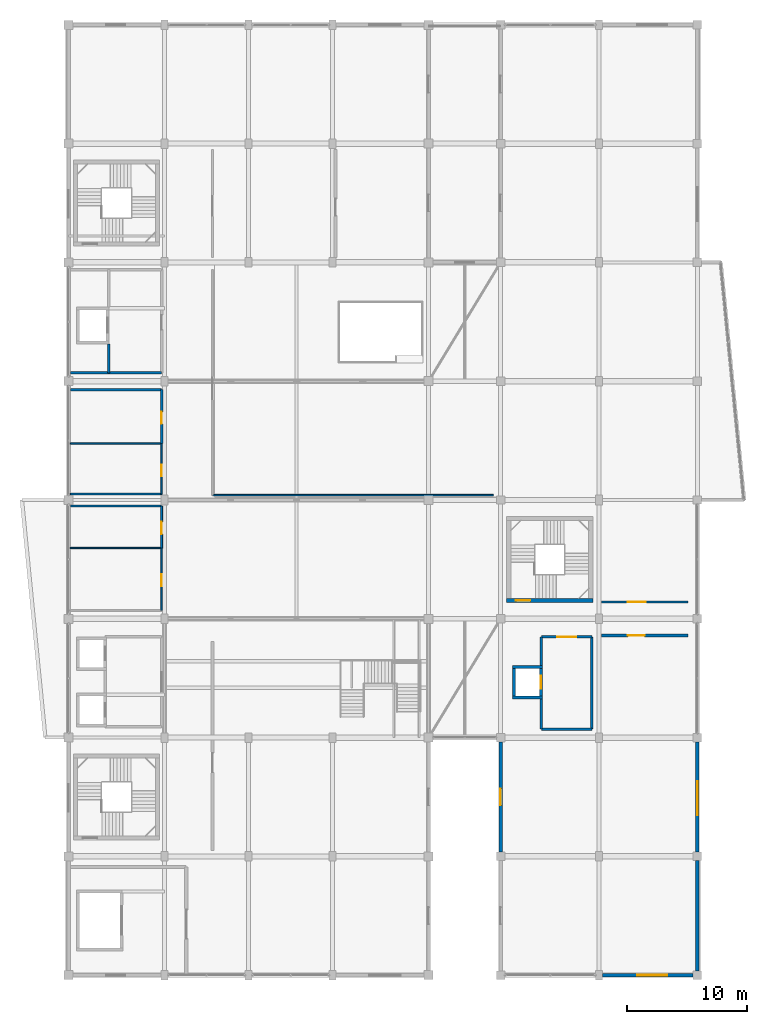
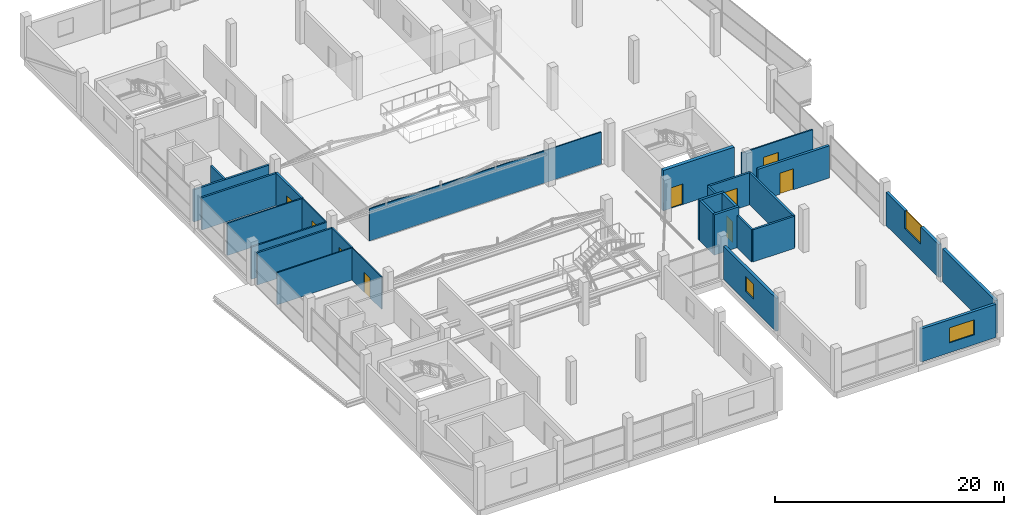
# One storey, part 42 of 55: 28 walls, 9 doors, 3 windows, 12 openings.
"""IFC4 building model written with IfcOpenShell, lengths in metres."""

import ifcopenshell
import ifcopenshell.guid

model = None  # the IFC model being written
_history = None  # IfcOwnerHistory: only IFC2X3 demands one
_inside = {}  # id of a spatial element -> (the spatial element, [elements in it])
_under = {}  # id of a project, library or spatial element -> (it, [spatial elements below it])
_declared = {}  # id of a project -> (the project, [libraries it declares])
_typed = {}  # id of a type object -> (the type object, [elements of that type])
_made_of = {}  # id of a material, layer set ... -> (it, [elements and type objects made of it])


def new_model(schema):
    """Start an empty IFC model of exactly this schema.

    Asked for "IFC4X3", IfcOpenShell would pick the latest addendum, in which some entities
    have other attributes; the version numbers below select the first issue.
    IFC2X3 requires an IfcOwnerHistory on every rooted entity: one is made here for all.
    """
    global model, _history
    if schema == "IFC4X3":
        model = ifcopenshell.file(schema_version=(4, 3, 0, 0))
    else:
        model = ifcopenshell.file(schema=schema)
    _inside.clear()
    _under.clear()
    _declared.clear()
    _typed.clear()
    _made_of.clear()
    _history = None
    if model.schema == "IFC2X3":
        org = make("IfcOrganization", Name="unknown")
        user = make(
            "IfcPersonAndOrganization",
            ThePerson=make("IfcPerson", FamilyName="unknown"),
            TheOrganization=org,
        )
        app = make(
            "IfcApplication",
            ApplicationDeveloper=org,
            Version="unknown",
            ApplicationFullName="unknown",
            ApplicationIdentifier="unknown",
        )
        _history = make(
            "IfcOwnerHistory",
            OwningUser=user,
            OwningApplication=app,
            ChangeAction="ADDED",
            CreationDate=0,
        )
    return model


def make(cls, **values):
    """One entity of the class cls with the attributes given. An attribute that is None is left unset."""
    return model.create_entity(
        cls, **{name: value for name, value in values.items() if value is not None}
    )


def rooted(cls, **values):
    """An entity with a GlobalId (a new one), such as an element, a storey or a relation."""
    return make(cls, GlobalId=ifcopenshell.guid.new(), OwnerHistory=_history, **values)


def si_unit(unit_type, name, prefix=None):
    """IfcSIUnit, for example si_unit("LENGTHUNIT", "METRE", prefix="MILLI")."""
    return make("IfcSIUnit", UnitType=unit_type, Prefix=prefix, Name=name)


def assignment(units):
    """IfcUnitAssignment: the units of a project."""
    return None if units is None else make("IfcUnitAssignment", Units=units)


def point(xyz):
    """IfcCartesianPoint."""
    return None if xyz is None else make("IfcCartesianPoint", Coordinates=xyz)


def direction(xyz):
    """IfcDirection."""
    return None if xyz is None else make("IfcDirection", DirectionRatios=xyz)


def frame(location, z_axis=None, x_axis=None):
    """IfcAxis2Placement3D, a coordinate frame: its origin and axes. An axis left out is left unset."""
    return make(
        "IfcAxis2Placement3D",
        Location=point(location),
        Axis=direction(z_axis),
        RefDirection=direction(x_axis),
    )


def frame_2d(location, x_axis=None):
    """IfcAxis2Placement2D, a coordinate frame in the plane: its origin and x axis."""
    return make(
        "IfcAxis2Placement2D", Location=point(location), RefDirection=direction(x_axis)
    )


def origin():
    """The frame at (0, 0, 0) with its axes left unset."""
    return frame((0.0, 0.0, 0.0))


def place(relative_to, where):
    """IfcLocalPlacement: puts the frame where relative to a parent placement (None: the world)."""
    return make(
        "IfcLocalPlacement", PlacementRelTo=relative_to, RelativePlacement=where
    )


def context(
    kind, dimensions, precision=None, world=None, true_north=None, identifier=None
):
    """IfcGeometricRepresentationContext, for example the 3D "Model" context."""
    return make(
        "IfcGeometricRepresentationContext",
        ContextIdentifier=identifier,
        ContextType=kind,
        CoordinateSpaceDimension=dimensions,
        Precision=precision,
        WorldCoordinateSystem=world,
        TrueNorth=true_north,
    )


def subcontext(parent, identifier, kind, view, scale=None):
    """IfcGeometricRepresentationSubContext, for example "Body" below "Model"."""
    return make(
        "IfcGeometricRepresentationSubContext",
        ContextIdentifier=identifier,
        ContextType=kind,
        ParentContext=parent,
        TargetScale=scale,
        TargetView=view,
    )


def project(units=None, contexts=None):
    """IfcProject with its units and contexts."""
    return rooted(
        "IfcProject",
        Name="project",
        RepresentationContexts=contexts,
        UnitsInContext=assignment(units),
    )


def spatial(cls, under=None, at=None, **own):
    """A site, building, storey or space (cls), placed at a placement, below another one or the project."""
    s = rooted(cls, ObjectPlacement=at, **own)
    if under is not None:
        _under.setdefault(under.id(), (under, []))[1].append(s)
    return s


def profile(cls, at=None, kind="AREA", **sizes):
    """A parametric profile (cls). Its sizes go by their IFC names, for example OverallWidth=200.0."""
    return make(cls, ProfileType=kind, Position=at, **sizes)


def rectangle(**sizes):
    """IfcRectangleProfileDef."""
    return profile("IfcRectangleProfileDef", **sizes)


def extrude(swept, where, along, depth):
    """IfcExtrudedAreaSolid: the profile swept, set in the frame where, extruded along a direction by depth."""
    return make(
        "IfcExtrudedAreaSolid",
        SweptArea=swept,
        Position=where,
        ExtrudedDirection=direction(along),
        Depth=depth,
    )


def shape(context_of_items, identifier, shape_type, items):
    """IfcShapeRepresentation: the items that make up one representation, for example the "Body"."""
    return make(
        "IfcShapeRepresentation",
        ContextOfItems=context_of_items,
        RepresentationIdentifier=identifier,
        RepresentationType=shape_type,
        Items=items,
    )


def material(Name=None, Category=None):
    """IfcMaterial."""
    return make("IfcMaterial", Name=Name, Category=Category)


def layer(
    of_material, thickness, ventilated=None, Name=None, Category=None, Priority=None
):
    """IfcMaterialLayer: one layer of a wall or slab, of a material (None: an air gap)."""
    return make(
        "IfcMaterialLayer",
        Material=of_material,
        LayerThickness=thickness,
        IsVentilated=ventilated,
        Name=Name,
        Category=Category,
        Priority=Priority,
    )


def layer_set(layers, Name=None):
    """IfcMaterialLayerSet."""
    return make("IfcMaterialLayerSet", MaterialLayers=layers, LayerSetName=Name)


def made_of(thing, what):
    """Note that an element or type object is made of a material, layer set ...; save() writes the relation."""
    if what is not None:
        _made_of.setdefault(what.id(), (what, []))[1].append(thing)
    return thing


def type_object(cls, material=None, **own):
    """A type object (cls), such as IfcWallType, which elements share."""
    return made_of(rooted(cls, **own), material)


def element(
    cls,
    number,
    at=None,
    inside=None,
    cuts=None,
    type_object=None,
    material=None,
    context=None,
    identifier="Body",
    shape_type=None,
    held_by="IfcProductDefinitionShape",
    body=None,
    shapes=None,
    **own,
):
    """One element of the class cls, such as IfcWall. Its Tag is "e" and its number.

    at: its placement. inside: the storey or other place that contains it. cuts: it is an
    opening in that element (IfcRelVoidsElement). A single representation is given by context,
    identifier, shape_type and body (its items); several are given by shapes. held_by: the class
    of the entity that holds the representations. save() writes the other relations.
    """
    e = rooted(cls, Tag="e%d" % number, ObjectPlacement=at, **own)
    if body is not None:
        shapes = [shape(context, identifier, shape_type, body)]
    if shapes is not None:
        e.Representation = make(held_by, Representations=shapes)
    if inside is not None:
        _inside.setdefault(inside.id(), (inside, []))[1].append(e)
    if cuts is not None:
        rooted(
            "IfcRelVoidsElement", RelatingBuildingElement=cuts, RelatedOpeningElement=e
        )
    if type_object is not None:
        _typed.setdefault(type_object.id(), (type_object, []))[1].append(e)
    return made_of(e, material)


def fill(opening, filler):
    """IfcRelFillsElement: the door or window that sits in an opening."""
    return rooted(
        "IfcRelFillsElement",
        RelatingOpeningElement=opening,
        RelatedBuildingElement=filler,
    )


def aggregate(whole, parts):
    """IfcRelAggregates: a whole, such as a stair, and the parts it consists of."""
    return rooted("IfcRelAggregates", RelatingObject=whole, RelatedObjects=parts)


def save(model, path):
    """Write the relations noted so far, then the file.

    IfcRelAggregates (storeys below a building ...), IfcRelContainedInSpatialStructure (elements
    in a storey), IfcRelDefinesByType, IfcRelAssociatesMaterial and IfcRelDeclares: one each for
    every whole, place, type object, material and project.
    """
    for whole, parts in _under.values():
        aggregate(whole, parts)
    for where, things in _inside.values():
        rooted(
            "IfcRelContainedInSpatialStructure",
            RelatedElements=things,
            RelatingStructure=where,
        )
    for kind, things in _typed.values():
        rooted("IfcRelDefinesByType", RelatedObjects=things, RelatingType=kind)
    for what, things in _made_of.values():
        rooted("IfcRelAssociatesMaterial", RelatedObjects=things, RelatingMaterial=what)
    for by, libraries in _declared.values():
        rooted("IfcRelDeclares", RelatingContext=by, RelatedDefinitions=libraries)
    model.write(path)


model = new_model("IFC4")

# Units and contexts
model_context = context("Model", 3, precision=1e-05, world=origin(), true_north=direction((0.0, 1.0)))
body_context = subcontext(model_context, "Body", "Model", "MODEL_VIEW")
ifc_project = project(units=[si_unit("LENGTHUNIT", "METRE"), si_unit("AREAUNIT", "SQUARE_METRE"), si_unit("VOLUMEUNIT", "CUBIC_METRE"), si_unit("PLANEANGLEUNIT", "RADIAN"), si_unit("MASSUNIT", "GRAM", prefix="KILO")], contexts=[model_context])

# Site, building, storey
site_placement = place(None, origin())
site = spatial("IfcSite", under=ifc_project, at=site_placement, CompositionType="ELEMENT")
building_placement = place(site_placement, origin())
building = spatial("IfcBuilding", under=site, at=building_placement, Name="Sillaruma Civic Art Gallery", CompositionType="ELEMENT")
storey_placement = place(building_placement, frame((0.0, 0.0, 37.739990234375)))
storey = spatial("IfcBuildingStorey", under=building, at=storey_placement, Name="L07", CompositionType="ELEMENT", Elevation=37.739990234375)

# Wall, opening, door
ifc_material_1 = material(Name="Concrete H40 (40 MPa)", Category="concrete")
ifc_layer_1 = layer(ifc_material_1, 0.35009765625, Name="Concrete H40 (40 MPa)")
ifc_layer_set_1 = layer_set([ifc_layer_1], Name="Concrete H40 (40 MPa)")
wall_type_1 = type_object("IfcWallType", Name="WAL-CORE-350", PredefinedType="SHEAR", material=ifc_layer_set_1)
wall_1_placement = place(storey_placement, frame((98.510009765625, 51.034912109375, 0.0), z_axis=(0.0, 0.0, 1.0), x_axis=(1.0, 0.0, 0.0)))
wall_1 = element("IfcWall", 1, at=wall_1_placement, inside=storey, type_object=wall_type_1, Name="Stair Core Shear Wall W-CORE-350 (ST-04:L07:S)", PredefinedType="SHEAR", context=body_context, shape_type="SweptSolid", body=[
    extrude(rectangle(XDim=7.179931640625, YDim=0.35009765625, at=frame_2d((3.58984375, 0.0))), origin(), (0.0, 0.0, 1.0), 4.31005859375),
])
opening_1_placement = place(wall_1_placement, frame((0.77001953125, 0.0, 0.0)))
opening_1 = element("IfcOpeningElement", 2, at=opening_1_placement, cuts=wall_1, Name="Opening D-STAIR", PredefinedType="OPENING", context=body_context, shape_type="SweptSolid", body=[
    extrude(rectangle(XDim=1.199951171875, YDim=2.199951171875, at=frame_2d((0.60009765625, 1.10009765625))), frame((0.0, 0.18505859375, 0.0), z_axis=(0.0, -1.0, 0.0), x_axis=(1.0, 0.0, 0.0)), (0.0, 0.0, 1.0), 0.3701171875),
])
ifc_material_2 = material(Name="Galvanised Steel ASTM A653 Gr.50", Category="steel")
door_type_1 = type_object("IfcDoorType", Name="DOR-STAIR-120", OperationType="NOTDEFINED", PredefinedType="DOOR", material=ifc_material_2)
door_1_placement = place(opening_1_placement, origin())
door_1 = element("IfcDoor", 3, at=door_1_placement, inside=storey, type_object=door_type_1, Name="Protected Stair Fire Door (ST-04:L07)", OperationType="SINGLE_SWING_LEFT", OverallHeight=2.199951171875, OverallWidth=1.199951171875, PredefinedType="DOOR", context=body_context, shape_type="SweptSolid", body=[
    extrude(rectangle(XDim=1.199951171875, YDim=2.199951171875, at=frame_2d((0.60009765625, 1.10009765625))), frame((0.0, 0.02490234375, 0.0), z_axis=(0.0, -1.0, 0.0), x_axis=(1.0, 0.0, 0.0)), (0.0, 0.0, 1.0), 0.050048828125),
])
fill(opening_1, door_1)

# Wall, opening, window
ifc_material_3 = material(Name="Concrete H35 (35 MPa)", Category="concrete")
ifc_layer_2 = layer(ifc_material_3, 0.159912109375, Name="Concrete backup", Category="concrete")
ifc_material_4 = material(Name="Mineral Wool Thermal Insulation", Category="insulation")
ifc_layer_3 = layer(ifc_material_4, 0.090087890625, Name="Thermal insulation", Category="insulation")
ifc_material_5 = material(Name="Anodised Zinc-Aluminium Alloy", Category="aluminium")
ifc_layer_4 = layer(ifc_material_5, 0.030029296875, Name="Rainscreen finish", Category="aluminium")
ifc_layer_set_2 = layer_set([ifc_layer_2, ifc_layer_3, ifc_layer_4], Name="W-EXT-280")
wall_type_2 = type_object("IfcWallType", Name="WAL-EXT-280", PredefinedType="SOLIDWALL", material=ifc_layer_set_2)
wall_2_placement = place(storey_placement, frame((114.39990234375, 30.050048828125, 0.0), z_axis=(0.0, 0.0, 1.0), x_axis=(0.0, 1.0, 0.0)))
wall_2 = element("IfcWall", 4, at=wall_2_placement, inside=storey, type_object=wall_type_2, Name="Exterior Wall W-EXT-280 (EW-L07-E-2)", PredefinedType="SOLIDWALL", context=body_context, shape_type="SweptSolid", body=[
    extrude(rectangle(XDim=9.199951171875, YDim=0.280029296875, at=frame_2d((4.60009765625, 0.0))), origin(), (0.0, 0.0, 1.0), 3.530029296875),
])
opening_2_placement = place(wall_2_placement, frame((3.10009765625, 0.0, 1.64990234375)))
opening_2 = element("IfcOpeningElement", 5, at=opening_2_placement, cuts=wall_2, Name="Opening WN-09", PredefinedType="OPENING", context=body_context, shape_type="SweptSolid", body=[
    extrude(rectangle(XDim=2.800048828125, YDim=1.89990234375, at=frame_2d((1.39990234375, 0.949951171875))), frame((0.0, 0.14990234375, 0.0), z_axis=(0.0, -1.0, 0.0), x_axis=(1.0, 0.0, 0.0)), (0.0, 0.0, 1.0), 0.300048828125),
])
ifc_material_6 = material(Name="Thermally Broken Extruded Aluminium 6063-T6", Category="aluminium")
window_type_1 = type_object("IfcWindowType", Name="WIN-W09", PartitioningType="SINGLE_PANEL", PredefinedType="WINDOW", material=ifc_material_6)
window_1_placement = place(opening_2_placement, origin())
window_1 = element("IfcWindow", 6, at=window_1_placement, inside=storey, type_object=window_type_1, Name="Window WN-09 (EW-L07-E-2-1)", OverallHeight=1.89990234375, OverallWidth=2.800048828125, PartitioningType="SINGLE_PANEL", PredefinedType="WINDOW", context=body_context, shape_type="SweptSolid", body=[
    extrude(rectangle(XDim=2.800048828125, YDim=1.89990234375, at=frame_2d((1.39990234375, 0.949951171875))), frame((0.0, 0.030029296875, 0.0), z_axis=(0.0, -1.0, 0.0), x_axis=(1.0, 0.0, 0.0)), (0.0, 0.0, 1.0), 0.06005859375),
])
fill(opening_2, window_1)

wall_3_placement = place(storey_placement, frame((98.0, 30.050048828125, 0.0), z_axis=(0.0, 0.0, 1.0), x_axis=(0.0, 1.0, 0.0)))
wall_3 = element("IfcWall", 7, at=wall_3_placement, inside=storey, type_object=wall_type_2, Name="Exterior Wall W-EXT-280 (EW-L07-CYN-E2)", PredefinedType="SOLIDWALL", context=body_context, shape_type="SweptSolid", body=[
    extrude(rectangle(XDim=9.199951171875, YDim=0.280029296875, at=frame_2d((4.60009765625, 0.0))), origin(), (0.0, 0.0, 1.0), 3.530029296875),
])
opening_3_placement = place(wall_3_placement, frame((3.89990234375, 0.0, 1.050048828125)))
opening_3 = element("IfcOpeningElement", 8, at=opening_3_placement, cuts=wall_3, Name="Opening WN-06", PredefinedType="OPENING", context=body_context, shape_type="SweptSolid", body=[
    extrude(rectangle(XDim=1.39990234375, YDim=1.60009765625, at=frame_2d((0.699951171875, 0.800048828125))), frame((0.0, 0.14990234375, 0.0), z_axis=(0.0, -1.0, 0.0), x_axis=(1.0, 0.0, 0.0)), (0.0, 0.0, 1.0), 0.300048828125),
])
window_type_2 = type_object("IfcWindowType", Name="WIN-W06", PartitioningType="SINGLE_PANEL", PredefinedType="WINDOW", material=ifc_material_6)
window_2_placement = place(opening_3_placement, origin())
window_2 = element("IfcWindow", 9, at=window_2_placement, inside=storey, type_object=window_type_2, Name="Window WN-06 (EW-L07-CYN-E2-1)", OverallHeight=1.60009765625, OverallWidth=1.39990234375, PartitioningType="SINGLE_PANEL", PredefinedType="WINDOW", context=body_context, shape_type="SweptSolid", body=[
    extrude(rectangle(XDim=1.39990234375, YDim=1.60009765625, at=frame_2d((0.699951171875, 0.800048828125))), frame((0.0, 0.030029296875, 0.0), z_axis=(0.0, -1.0, 0.0), x_axis=(1.0, 0.0, 0.0)), (0.0, 0.0, 1.0), 0.06005859375),
])
fill(opening_3, window_2)

ifc_layer_5 = layer(ifc_material_3, 0.169921875, Name="Concrete backup", Category="concrete")
ifc_layer_6 = layer(ifc_material_4, 0.090087890625, Name="Thermal insulation", Category="insulation")
ifc_layer_7 = layer(ifc_material_5, 0.030029296875, Name="Rainscreen finish", Category="aluminium")
ifc_layer_set_3 = layer_set([ifc_layer_5, ifc_layer_6, ifc_layer_7], Name="W-EXT-290")
wall_type_3 = type_object("IfcWallType", Name="WAL-EXT-290", PredefinedType="SOLIDWALL", material=ifc_layer_set_3)
wall_4_placement = place(storey_placement, frame((106.5, 19.800048828125, 0.0), z_axis=(0.0, 0.0, 1.0), x_axis=(1.0, 0.0, 0.0)))
wall_4 = element("IfcWall", 10, at=wall_4_placement, inside=storey, type_object=wall_type_3, Name="Exterior Wall W-EXT-290 (EW-L07-S-7)", PredefinedType="SOLIDWALL", context=body_context, shape_type="SweptSolid", body=[
    extrude(rectangle(XDim=7.550048828125, YDim=0.2900390625, at=frame_2d((3.77490234375, 0.0))), origin(), (0.0, 0.0, 1.0), 3.530029296875),
])
opening_4_placement = place(wall_4_placement, frame((2.875, 0.0, 1.050048828125)))
opening_4 = element("IfcOpeningElement", 11, at=opening_4_placement, cuts=wall_4, Name="Opening WN-11", PredefinedType="OPENING", context=body_context, shape_type="SweptSolid", body=[
    extrude(rectangle(XDim=2.5, YDim=1.60009765625, at=frame_2d((1.25, 0.800048828125))), frame((0.0, 0.155029296875, 0.0), z_axis=(0.0, -1.0, 0.0), x_axis=(1.0, 0.0, 0.0)), (0.0, 0.0, 1.0), 0.31005859375),
])
window_type_3 = type_object("IfcWindowType", Name="WIN-W11", PartitioningType="SINGLE_PANEL", PredefinedType="WINDOW", material=ifc_material_6)
window_3_placement = place(opening_4_placement, origin())
window_3 = element("IfcWindow", 12, at=window_3_placement, inside=storey, type_object=window_type_3, Name="Window WN-11 (EW-L07-S-7-1)", OverallHeight=1.60009765625, OverallWidth=2.5, PartitioningType="SINGLE_PANEL", PredefinedType="WINDOW", context=body_context, shape_type="SweptSolid", body=[
    extrude(rectangle(XDim=2.5, YDim=1.60009765625, at=frame_2d((1.25, 0.800048828125))), frame((0.0, 0.030029296875, 0.0), z_axis=(0.0, -1.0, 0.0), x_axis=(1.0, 0.0, 0.0)), (0.0, 0.0, 1.0), 0.06005859375),
])
fill(opening_4, window_3)

# Walls
ifc_material_7 = material(Name="Precast Concrete H35 (35 MPa)", Category="concrete")
ifc_layer_8 = layer(ifc_material_7, 0.179931640625, Name="Precast backup", Category="concrete")
ifc_layer_9 = layer(ifc_material_4, 0.090087890625, Name="Thermal insulation", Category="insulation")
ifc_material_8 = material(Name="Comanche Granitic Ashlar Stone", Category="masonry")
ifc_layer_10 = layer(ifc_material_8, 0.030029296875, Name="Rainscreen cladding", Category="masonry")
ifc_layer_set_4 = layer_set([ifc_layer_8, ifc_layer_9, ifc_layer_10], Name="W-EXT-300")
wall_type_4 = type_object("IfcWallType", Name="WAL-EXT-300", PredefinedType="SOLIDWALL", material=ifc_layer_set_4)
wall_5_placement = place(storey_placement, frame((114.39990234375, 20.14990234375, 0.0), z_axis=(0.0, 0.0, 1.0), x_axis=(0.0, 1.0, 0.0)))
element("IfcWall", 13, at=wall_5_placement, inside=storey, type_object=wall_type_4, Name="Exterior Wall W-EXT-300 (EW-L07-E-1)", PredefinedType="SOLIDWALL", context=body_context, shape_type="SweptSolid", body=[
    extrude(rectangle(XDim=9.2001953125, YDim=0.300048828125, at=frame_2d((4.60009765625, 0.0))), origin(), (0.0, 0.0, 1.0), 3.530029296875),
])
ifc_material_9 = material(Name="Concrete Masonry Unit Grade M15", Category="masonry")
ifc_layer_11 = layer(ifc_material_9, 0.199951171875, Name="Concrete Masonry Unit Grade M15")
ifc_layer_set_5 = layer_set([ifc_layer_11], Name="Concrete Masonry Unit Grade M15")
wall_type_5 = type_object("IfcWallType", Name="WAL-LOBBY-200", PredefinedType="SOLIDWALL", material=ifc_layer_set_5)
wall_6_placement = place(storey_placement, frame((62.14990234375, 70.0, 0.0), z_axis=(0.0, 0.0, 1.0), x_axis=(1.0, 0.0, 0.0)))
element("IfcWall", 14, at=wall_6_placement, inside=storey, type_object=wall_type_5, Name="Interior Wall W-LOBBY-200 (L07-FFL)", PredefinedType="SOLIDWALL", context=body_context, shape_type="SweptSolid", body=[
    extrude(rectangle(XDim=7.60009765625, YDim=0.199951171875, at=frame_2d((3.800048828125, 0.0))), origin(), (0.0, 0.0, 1.0), 3.429931640625),
])
wall_7_placement = place(storey_placement, frame((65.35009765625, 70.0, 0.0), z_axis=(0.0, 0.0, 1.0), x_axis=(0.0, 1.0, 0.0)))
element("IfcWall", 15, at=wall_7_placement, inside=storey, type_object=wall_type_5, Name="Interior Wall W-LOBBY-200 (L07-FFL)", PredefinedType="SOLIDWALL", context=body_context, shape_type="SweptSolid", body=[
    extrude(rectangle(XDim=2.39990234375, YDim=0.199951171875, at=frame_2d((1.199951171875, 0.0))), origin(), (0.0, 0.0, 1.0), 3.429931640625),
])
wall_8_placement = place(storey_placement, frame((62.14990234375, 68.60009765625, 0.0), z_axis=(0.0, 0.0, 1.0), x_axis=(1.0, 0.0, 0.0)))
element("IfcWall", 16, at=wall_8_placement, inside=storey, type_object=wall_type_5, Name="Interior Wall W-LOBBY-200 (L07-RSR)", PredefinedType="SOLIDWALL", context=body_context, shape_type="SweptSolid", body=[
    extrude(rectangle(XDim=7.60009765625, YDim=0.199951171875, at=frame_2d((3.800048828125, 0.0))), origin(), (0.0, 0.0, 1.0), 3.429931640625),
])

# Wall, opening, door
wall_9_placement = place(storey_placement, frame((69.75, 64.10009765625, 0.0), z_axis=(0.0, 0.0, 1.0), x_axis=(0.0, 1.0, 0.0)))
wall_9 = element("IfcWall", 17, at=wall_9_placement, inside=storey, type_object=wall_type_5, Name="Interior Wall W-LOBBY-200 (L07-RSR)", PredefinedType="SOLIDWALL", context=body_context, shape_type="SweptSolid", body=[
    extrude(rectangle(XDim=4.5, YDim=0.199951171875, at=frame_2d((2.25, 0.0))), origin(), (0.0, 0.0, 1.0), 3.429931640625),
])
opening_5_placement = place(wall_9_placement, frame((1.64990234375, 0.0, 0.0)))
opening_5 = element("IfcOpeningElement", 18, at=opening_5_placement, cuts=wall_9, Name="Opening D-RISER", PredefinedType="OPENING", context=body_context, shape_type="SweptSolid", body=[
    extrude(rectangle(XDim=1.0, YDim=2.14990234375, at=frame_2d((0.5, 1.074951171875))), frame((0.0, 0.10986328125, 0.0), z_axis=(0.0, -1.0, 0.0), x_axis=(1.0, 0.0, 0.0)), (0.0, 0.0, 1.0), 0.219970703125),
])
door_type_2 = type_object("IfcDoorType", Name="DOR-RISER-100", OperationType="NOTDEFINED", PredefinedType="DOOR", material=ifc_material_2)
door_2_placement = place(opening_5_placement, origin())
door_2 = element("IfcDoor", 19, at=door_2_placement, inside=storey, type_object=door_type_2, Name="MEP Service Riser Door (D-RISER)", OperationType="SINGLE_SWING_LEFT", OverallHeight=2.14990234375, OverallWidth=1.0, PredefinedType="DOOR", context=body_context, shape_type="SweptSolid", body=[
    extrude(rectangle(XDim=1.0, YDim=2.14990234375, at=frame_2d((0.5, 1.074951171875))), frame((0.0, 0.02490234375, 0.0), z_axis=(0.0, -1.0, 0.0), x_axis=(1.0, 0.0, 0.0)), (0.0, 0.0, 1.0), 0.050048828125),
])
fill(opening_5, door_2)

# Walls
wall_10_placement = place(storey_placement, frame((101.39990234375, 40.300048828125, 0.0), z_axis=(0.0, 0.0, 1.0), x_axis=(1.0, 0.0, 0.0)))
element("IfcWall", 20, at=wall_10_placement, inside=storey, type_object=wall_type_5, Name="Interior Wall W-LOBBY-200 (L07-LLE)", PredefinedType="SOLIDWALL", context=body_context, shape_type="SweptSolid", body=[
    extrude(rectangle(XDim=4.2001953125, YDim=0.199951171875, at=frame_2d((2.10009765625, 0.0))), origin(), (0.0, 0.0, 1.0), 3.429931640625),
])
wall_11_placement = place(storey_placement, frame((101.39990234375, 40.300048828125, 0.0), z_axis=(0.0, 0.0, 1.0), x_axis=(0.0, 1.0, 0.0)))
element("IfcWall", 21, at=wall_11_placement, inside=storey, type_object=wall_type_5, Name="Interior Wall W-LOBBY-200 (L07-LLE)", PredefinedType="SOLIDWALL", context=body_context, shape_type="SweptSolid", body=[
    extrude(rectangle(XDim=2.5, YDim=0.199951171875, at=frame_2d((1.25, 0.0))), origin(), (0.0, 0.0, 1.0), 3.429931640625),
])
wall_12_placement = place(storey_placement, frame((101.39990234375, 45.60009765625, 0.0), z_axis=(0.0, 0.0, 1.0), x_axis=(0.0, 1.0, 0.0)))
element("IfcWall", 22, at=wall_12_placement, inside=storey, type_object=wall_type_5, Name="Interior Wall W-LOBBY-200 (L07-LLE)", PredefinedType="SOLIDWALL", context=body_context, shape_type="SweptSolid", body=[
    extrude(rectangle(XDim=2.39990234375, YDim=0.199951171875, at=frame_2d((1.199951171875, 0.0))), origin(), (0.0, 0.0, 1.0), 3.429931640625),
])
wall_13_placement = place(storey_placement, frame((105.60009765625, 40.300048828125, 0.0), z_axis=(0.0, 0.0, 1.0), x_axis=(0.0, 1.0, 0.0)))
element("IfcWall", 23, at=wall_13_placement, inside=storey, type_object=wall_type_5, Name="Interior Wall W-LOBBY-200 (L07-LLE)", PredefinedType="SOLIDWALL", context=body_context, shape_type="SweptSolid", body=[
    extrude(rectangle(XDim=7.699951171875, YDim=0.199951171875, at=frame_2d((3.85009765625, 0.0))), origin(), (0.0, 0.0, 1.0), 3.429931640625),
])

# Wall, opening, door
wall_14_placement = place(storey_placement, frame((101.39990234375, 48.0, 0.0), z_axis=(0.0, 0.0, 1.0), x_axis=(1.0, 0.0, 0.0)))
wall_14 = element("IfcWall", 24, at=wall_14_placement, inside=storey, type_object=wall_type_5, Name="Interior Wall W-LOBBY-200 (L07-LLE)", PredefinedType="SOLIDWALL", context=body_context, shape_type="SweptSolid", body=[
    extrude(rectangle(XDim=4.2001953125, YDim=0.199951171875, at=frame_2d((2.10009765625, 0.0))), origin(), (0.0, 0.0, 1.0), 3.429931640625),
])
opening_6_placement = place(wall_14_placement, frame((1.300048828125, 0.0, 0.0)))
opening_6 = element("IfcOpeningElement", 25, at=opening_6_placement, cuts=wall_14, Name="Opening D-LOBBY", PredefinedType="OPENING", context=body_context, shape_type="SweptSolid", body=[
    extrude(rectangle(XDim=1.60009765625, YDim=2.199951171875, at=frame_2d((0.800048828125, 1.10009765625))), frame((0.0, 0.10986328125, 0.0), z_axis=(0.0, -1.0, 0.0), x_axis=(1.0, 0.0, 0.0)), (0.0, 0.0, 1.0), 0.219970703125),
])
door_type_3 = type_object("IfcDoorType", Name="DOR-LOBBY-160", OperationType="NOTDEFINED", PredefinedType="DOOR", material=ifc_material_6)
door_3_placement = place(opening_6_placement, origin())
door_3 = element("IfcDoor", 26, at=door_3_placement, inside=storey, type_object=door_type_3, Name="East Lift Lobby Door (D-LOBBY)", OperationType="DOUBLE_DOOR_SINGLE_SWING", OverallHeight=2.199951171875, OverallWidth=1.60009765625, PredefinedType="DOOR", context=body_context, shape_type="SweptSolid", body=[
    extrude(rectangle(XDim=1.60009765625, YDim=2.199951171875, at=frame_2d((0.800048828125, 1.10009765625))), frame((0.0, 0.02490234375, 0.0), z_axis=(0.0, -1.0, 0.0), x_axis=(1.0, 0.0, 0.0)), (0.0, 0.0, 1.0), 0.050048828125),
])
fill(opening_6, door_3)

ifc_material_10 = material(Name="Gypsum Acoustic Board", Category="gypsum")
ifc_layer_12 = layer(ifc_material_10, 0.02490234375, Name="Finish board", Category="gypsum")
ifc_layer_13 = layer(ifc_material_4, 0.06005859375, Name="Acoustic core", Category="insulation")
ifc_material_11 = material(Name="Andean Oak Timber", Category="wood")
ifc_layer_14 = layer(ifc_material_11, 0.02490234375, Name="Gallery lining", Category="wood")
ifc_layer_set_6 = layer_set([ifc_layer_12, ifc_layer_13, ifc_layer_14], Name="W-PT-110")
wall_type_6 = type_object("IfcWallType", Name="WAL-PART-110", PredefinedType="PARTITIONING", material=ifc_layer_set_6)
wall_15_placement = place(storey_placement, frame((69.75, 50.199951171875, 0.0), z_axis=(0.0, 0.0, 1.0), x_axis=(0.0, 1.0, 0.0)))
wall_15 = element("IfcWall", 27, at=wall_15_placement, inside=storey, type_object=wall_type_6, Name="Interior Wall W-PT-110 (L07-WC1)", PredefinedType="PARTITIONING", context=body_context, shape_type="SweptSolid", body=[
    extrude(rectangle(XDim=5.199951171875, YDim=0.110107421875, at=frame_2d((2.60009765625, 0.0))), origin(), (0.0, 0.0, 1.0), 3.429931640625),
])
opening_7_placement = place(wall_15_placement, frame((2.0, 0.0, 0.0)))
opening_7 = element("IfcOpeningElement", 28, at=opening_7_placement, cuts=wall_15, Name="Opening D-WC10", PredefinedType="OPENING", context=body_context, shape_type="SweptSolid", body=[
    extrude(rectangle(XDim=1.0, YDim=2.10009765625, at=frame_2d((0.5, 1.050048828125))), frame((0.0, 0.06494140625, 0.0), z_axis=(0.0, -1.0, 0.0), x_axis=(1.0, 0.0, 0.0)), (0.0, 0.0, 1.0), 0.130126953125),
])
door_type_4 = type_object("IfcDoorType", Name="DOR-WC-100", OperationType="NOTDEFINED", PredefinedType="DOOR", material=ifc_material_11)
door_4_placement = place(opening_7_placement, origin())
door_4 = element("IfcDoor", 29, at=door_4_placement, inside=storey, type_object=door_type_4, Name="Public WC Door (D-WC10)", OperationType="SINGLE_SWING_RIGHT", OverallHeight=2.10009765625, OverallWidth=1.0, PredefinedType="DOOR", context=body_context, shape_type="SweptSolid", body=[
    extrude(rectangle(XDim=1.0, YDim=2.10009765625, at=frame_2d((0.5, 1.050048828125))), frame((0.0, 0.02490234375, 0.0), z_axis=(0.0, -1.0, 0.0), x_axis=(1.0, 0.0, 0.0)), (0.0, 0.0, 1.0), 0.050048828125),
])
fill(opening_7, door_4)

# Walls
ifc_layer_15 = layer(ifc_material_10, 0.02490234375, Name="Finish board", Category="gypsum")
ifc_layer_16 = layer(ifc_material_4, 0.070068359375, Name="Acoustic core", Category="insulation")
ifc_layer_17 = layer(ifc_material_11, 0.02490234375, Name="Gallery lining", Category="wood")
ifc_layer_set_7 = layer_set([ifc_layer_15, ifc_layer_16, ifc_layer_17], Name="W-PT-120")
wall_type_7 = type_object("IfcWallType", Name="WAL-PART-120", PredefinedType="PARTITIONING", material=ifc_layer_set_7)
wall_16_placement = place(storey_placement, frame((62.14990234375, 55.39990234375, 0.0), z_axis=(0.0, 0.0, 1.0), x_axis=(1.0, 0.0, 0.0)))
element("IfcWall", 30, at=wall_16_placement, inside=storey, type_object=wall_type_7, Name="Interior Wall W-PT-120 (L07-WC1)", PredefinedType="PARTITIONING", context=body_context, shape_type="SweptSolid", body=[
    extrude(rectangle(XDim=7.60009765625, YDim=0.1201171875, at=frame_2d((3.800048828125, 0.0))), origin(), (0.0, 0.0, 1.0), 3.429931640625),
])
wall_17_placement = place(storey_placement, frame((74.0, 59.800048828125, 0.0), z_axis=(0.0, 0.0, 1.0), x_axis=(1.0, 0.0, 0.0)))
element("IfcWall", 31, at=wall_17_placement, inside=storey, type_object=wall_type_7, Name="Interior Wall W-PT-120 (L07-GAL71)", PredefinedType="PARTITIONING", context=body_context, shape_type="SweptSolid", body=[
    extrude(rectangle(XDim=23.39990234375, YDim=0.1201171875, at=frame_2d((11.699951171875, 0.0))), origin(), (0.0, 0.0, 1.0), 3.429931640625),
])

# Wall, opening, door
ifc_layer_18 = layer(ifc_material_10, 0.02490234375, Name="Finish board", Category="gypsum")
ifc_layer_19 = layer(ifc_material_4, 0.080078125, Name="Acoustic core", Category="insulation")
ifc_layer_20 = layer(ifc_material_11, 0.02490234375, Name="Gallery lining", Category="wood")
ifc_layer_set_8 = layer_set([ifc_layer_18, ifc_layer_19, ifc_layer_20], Name="W-PT-130")
wall_type_8 = type_object("IfcWallType", Name="WAL-PART-130", PredefinedType="PARTITIONING", material=ifc_layer_set_8)
wall_18_placement = place(storey_placement, frame((69.75, 59.89990234375, 0.0), z_axis=(0.0, 0.0, 1.0), x_axis=(0.0, 1.0, 0.0)))
wall_18 = element("IfcWall", 32, at=wall_18_placement, inside=storey, type_object=wall_type_8, Name="Interior Wall W-PT-130 (L07-CLN)", PredefinedType="PARTITIONING", context=body_context, shape_type="SweptSolid", body=[
    extrude(rectangle(XDim=4.2001953125, YDim=0.1298828125, at=frame_2d((2.10009765625, 0.0))), origin(), (0.0, 0.0, 1.0), 3.429931640625),
])
opening_8_placement = place(wall_18_placement, frame((1.5, 0.0, 0.0)))
opening_8 = element("IfcOpeningElement", 33, at=opening_8_placement, cuts=wall_18, Name="Opening D-SVC09", PredefinedType="OPENING", context=body_context, shape_type="SweptSolid", body=[
    extrude(rectangle(XDim=0.949951171875, YDim=2.10009765625, at=frame_2d((0.47509765625, 1.050048828125))), frame((0.0, 0.074951171875, 0.0), z_axis=(0.0, -1.0, 0.0), x_axis=(1.0, 0.0, 0.0)), (0.0, 0.0, 1.0), 0.14990234375),
])
door_type_5 = type_object("IfcDoorType", Name="DOR-SVC-095", OperationType="NOTDEFINED", PredefinedType="DOOR", material=ifc_material_11)
door_5_placement = place(opening_8_placement, origin())
door_5 = element("IfcDoor", 34, at=door_5_placement, inside=storey, type_object=door_type_5, Name="Cleaner Store Door (D-SVC09)", OperationType="SINGLE_SWING_RIGHT", OverallHeight=2.10009765625, OverallWidth=0.949951171875, PredefinedType="DOOR", context=body_context, shape_type="SweptSolid", body=[
    extrude(rectangle(XDim=0.949951171875, YDim=2.10009765625, at=frame_2d((0.47509765625, 1.050048828125))), frame((0.0, 0.02490234375, 0.0), z_axis=(0.0, -1.0, 0.0), x_axis=(1.0, 0.0, 0.0)), (0.0, 0.0, 1.0), 0.050048828125),
])
fill(opening_8, door_5)

# Wall
ifc_layer_21 = layer(ifc_material_10, 0.02490234375, Name="Finish board", Category="gypsum")
ifc_layer_22 = layer(ifc_material_4, 0.090087890625, Name="Acoustic core", Category="insulation")
ifc_layer_23 = layer(ifc_material_11, 0.02490234375, Name="Gallery lining", Category="wood")
ifc_layer_set_9 = layer_set([ifc_layer_21, ifc_layer_22, ifc_layer_23], Name="W-PT-140")
wall_type_9 = type_object("IfcWallType", Name="WAL-PART-140", PredefinedType="PARTITIONING", material=ifc_layer_set_9)
wall_19_placement = place(storey_placement, frame((62.14990234375, 64.10009765625, 0.0), z_axis=(0.0, 0.0, 1.0), x_axis=(1.0, 0.0, 0.0)))
element("IfcWall", 35, at=wall_19_placement, inside=storey, type_object=wall_type_9, Name="Interior Wall W-PT-140 (L07-CLN)", PredefinedType="PARTITIONING", context=body_context, shape_type="SweptSolid", body=[
    extrude(rectangle(XDim=7.60009765625, YDim=0.139892578125, at=frame_2d((3.800048828125, 0.0))), origin(), (0.0, 0.0, 1.0), 3.429931640625),
])

# Wall, opening, door
wall_20_placement = place(storey_placement, frame((106.39990234375, 50.89990234375, 0.0), z_axis=(0.0, 0.0, 1.0), x_axis=(1.0, 0.0, 0.0)))
wall_20 = element("IfcWall", 36, at=wall_20_placement, inside=storey, type_object=wall_type_9, Name="Interior Wall W-PT-140 (L07-CUR71)", PredefinedType="PARTITIONING", context=body_context, shape_type="SweptSolid", body=[
    extrude(rectangle(XDim=7.2001953125, YDim=0.139892578125, at=frame_2d((3.60009765625, 0.0))), origin(), (0.0, 0.0, 1.0), 3.429931640625),
])
opening_9_placement = place(wall_20_placement, frame((2.199951171875, 0.0, 0.0)))
opening_9 = element("IfcOpeningElement", 37, at=opening_9_placement, cuts=wall_20, Name="Opening D-INT15", PredefinedType="OPENING", context=body_context, shape_type="SweptSolid", body=[
    extrude(rectangle(XDim=1.5, YDim=2.199951171875, at=frame_2d((0.75, 1.10009765625))), frame((0.0, 0.079833984375, 0.0), z_axis=(0.0, -1.0, 0.0), x_axis=(1.0, 0.0, 0.0)), (0.0, 0.0, 1.0), 0.159912109375),
])
door_type_6 = type_object("IfcDoorType", Name="DOR-INT-150", OperationType="NOTDEFINED", PredefinedType="DOOR", material=ifc_material_11)
door_6_placement = place(opening_9_placement, origin())
door_6 = element("IfcDoor", 38, at=door_6_placement, inside=storey, type_object=door_type_6, Name="Curatorial Research and Seminar Office Door (D-INT15)", OperationType="SINGLE_SWING_LEFT", OverallHeight=2.199951171875, OverallWidth=1.5, PredefinedType="DOOR", context=body_context, shape_type="SweptSolid", body=[
    extrude(rectangle(XDim=1.5, YDim=2.199951171875, at=frame_2d((0.75, 1.10009765625))), frame((0.0, 0.02490234375, 0.0), z_axis=(0.0, -1.0, 0.0), x_axis=(1.0, 0.0, 0.0)), (0.0, 0.0, 1.0), 0.050048828125),
])
fill(opening_9, door_6)

# Wall
ifc_layer_24 = layer(ifc_material_10, 0.02490234375, Name="Finish board", Category="gypsum")
ifc_layer_25 = layer(ifc_material_4, 0.10009765625, Name="Acoustic core", Category="insulation")
ifc_layer_26 = layer(ifc_material_11, 0.02490234375, Name="Gallery lining", Category="wood")
ifc_layer_set_10 = layer_set([ifc_layer_24, ifc_layer_25, ifc_layer_26], Name="W-PT-150")
wall_type_10 = type_object("IfcWallType", Name="WAL-PART-150", PredefinedType="PARTITIONING", material=ifc_layer_set_10)
wall_21_placement = place(storey_placement, frame((62.14990234375, 59.89990234375, 0.0), z_axis=(0.0, 0.0, 1.0), x_axis=(1.0, 0.0, 0.0)))
element("IfcWall", 39, at=wall_21_placement, inside=storey, type_object=wall_type_10, Name="Interior Wall W-PT-150 (L07-CLN)", PredefinedType="PARTITIONING", context=body_context, shape_type="SweptSolid", body=[
    extrude(rectangle(XDim=7.60009765625, YDim=0.14990234375, at=frame_2d((3.800048828125, 0.0))), origin(), (0.0, 0.0, 1.0), 3.429931640625),
])

# Wall, opening, door
ifc_layer_27 = layer(ifc_material_10, 0.02490234375, Name="Finish board", Category="gypsum")
ifc_layer_28 = layer(ifc_material_4, 0.114990234375, Name="Acoustic core", Category="insulation")
ifc_layer_29 = layer(ifc_material_11, 0.02490234375, Name="Gallery lining", Category="wood")
ifc_layer_set_11 = layer_set([ifc_layer_27, ifc_layer_28, ifc_layer_29], Name="W-PT-165")
wall_type_11 = type_object("IfcWallType", Name="WAL-PART-165", PredefinedType="PARTITIONING", material=ifc_layer_set_11)
wall_22_placement = place(storey_placement, frame((69.75, 55.39990234375, 0.0), z_axis=(0.0, 0.0, 1.0), x_axis=(0.0, 1.0, 0.0)))
wall_22 = element("IfcWall", 40, at=wall_22_placement, inside=storey, type_object=wall_type_11, Name="Interior Wall W-PT-165 (L07-WCA)", PredefinedType="PARTITIONING", context=body_context, shape_type="SweptSolid", body=[
    extrude(rectangle(XDim=3.5, YDim=0.1650390625, at=frame_2d((1.75, 0.0))), origin(), (0.0, 0.0, 1.0), 3.429931640625),
])
opening_10_placement = place(wall_22_placement, frame((1.14990234375, 0.0, 0.0)))
opening_10 = element("IfcOpeningElement", 41, at=opening_10_placement, cuts=wall_22, Name="Opening D-AWC10", PredefinedType="OPENING", context=body_context, shape_type="SweptSolid", body=[
    extrude(rectangle(XDim=1.050048828125, YDim=2.14990234375, at=frame_2d((0.52490234375, 1.074951171875))), frame((0.0, 0.092529296875, 0.0), z_axis=(0.0, -1.0, 0.0), x_axis=(1.0, 0.0, 0.0)), (0.0, 0.0, 1.0), 0.18505859375),
])
door_type_7 = type_object("IfcDoorType", Name="DOR-AWC-105", OperationType="NOTDEFINED", PredefinedType="DOOR", material=ifc_material_11)
door_7_placement = place(opening_10_placement, origin())
door_7 = element("IfcDoor", 42, at=door_7_placement, inside=storey, type_object=door_type_7, Name="Accessible WC Door (D-AWC10)", OperationType="SINGLE_SWING_LEFT", OverallHeight=2.14990234375, OverallWidth=1.050048828125, PredefinedType="DOOR", context=body_context, shape_type="SweptSolid", body=[
    extrude(rectangle(XDim=1.050048828125, YDim=2.14990234375, at=frame_2d((0.52490234375, 1.074951171875))), frame((0.0, 0.02490234375, 0.0), z_axis=(0.0, -1.0, 0.0), x_axis=(1.0, 0.0, 0.0)), (0.0, 0.0, 1.0), 0.050048828125),
])
fill(opening_10, door_7)

# Walls
ifc_layer_30 = layer(ifc_material_10, 0.02490234375, Name="Finish board", Category="gypsum")
ifc_layer_31 = layer(ifc_material_4, 0.1298828125, Name="Acoustic core", Category="insulation")
ifc_layer_32 = layer(ifc_material_11, 0.02490234375, Name="Gallery lining", Category="wood")
ifc_layer_set_12 = layer_set([ifc_layer_30, ifc_layer_31, ifc_layer_32], Name="W-PT-180")
wall_type_12 = type_object("IfcWallType", Name="WAL-PART-180", PredefinedType="PARTITIONING", material=ifc_layer_set_12)
wall_23_placement = place(storey_placement, frame((62.14990234375, 58.89990234375, 0.0), z_axis=(0.0, 0.0, 1.0), x_axis=(1.0, 0.0, 0.0)))
element("IfcWall", 43, at=wall_23_placement, inside=storey, type_object=wall_type_12, Name="Interior Wall W-PT-180 (L07-WCA)", PredefinedType="PARTITIONING", context=body_context, shape_type="SweptSolid", body=[
    extrude(rectangle(XDim=7.60009765625, YDim=0.179931640625, at=frame_2d((3.800048828125, 0.0))), origin(), (0.0, 0.0, 1.0), 3.429931640625),
])
ifc_layer_33 = layer(ifc_material_1, 0.25, Name="Concrete H40 (40 MPa)")
ifc_layer_set_13 = layer_set([ifc_layer_33], Name="Concrete H40 (40 MPa)")
wall_type_13 = type_object("IfcWallType", Name="WAL-SHAFT-250", PredefinedType="SOLIDWALL", material=ifc_layer_set_13)
for number, where, z_axis, x_axis, name in (
    (44, (99.0, 42.925048828125, 0.0), (0.0, 0.0, 1.0), (1.0, 0.0, 0.0), "Lift Shaft Wall W-SHAFT-250 (PL-03:L07:S)"),
    (45, (99.0, 45.47509765625, 0.0), (0.0, 0.0, 1.0), (1.0, 0.0, 0.0), "Lift Shaft Wall W-SHAFT-250 (PL-03:L07:N)"),
):
    element("IfcWall", number, at=place(storey_placement, frame(where, z_axis=z_axis, x_axis=x_axis)), inside=storey, type_object=wall_type_13, Name=name, PredefinedType="SOLIDWALL", context=body_context, shape_type="SweptSolid", body=[
        extrude(rectangle(XDim=2.5, YDim=0.25, at=frame_2d((1.25, 0.0))), origin(), (0.0, 0.0, 1.0), 4.2900390625),
    ])
wall_24_placement = place(storey_placement, frame((99.125, 43.050048828125, 0.0), z_axis=(0.0, 0.0, 1.0), x_axis=(0.0, 1.0, 0.0)))
element("IfcWall", 46, at=wall_24_placement, inside=storey, type_object=wall_type_13, Name="Lift Shaft Wall W-SHAFT-250 (PL-03:L07:W)", PredefinedType="SOLIDWALL", context=body_context, shape_type="SweptSolid", body=[
    extrude(rectangle(XDim=2.300048828125, YDim=0.25, at=frame_2d((1.14990234375, 0.0))), origin(), (0.0, 0.0, 1.0), 4.2900390625),
])

# Wall, opening, door
wall_25_placement = place(storey_placement, frame((101.375, 43.050048828125, 0.0), z_axis=(0.0, 0.0, 1.0), x_axis=(0.0, 1.0, 0.0)))
wall_25 = element("IfcWall", 47, at=wall_25_placement, inside=storey, type_object=wall_type_13, Name="Lift Shaft Wall W-SHAFT-250 (PL-03:L07:E)", PredefinedType="SOLIDWALL", context=body_context, shape_type="SweptSolid", body=[
    extrude(rectangle(XDim=2.300048828125, YDim=0.25, at=frame_2d((1.14990234375, 0.0))), origin(), (0.0, 0.0, 1.0), 4.2900390625),
])
opening_11_placement = place(wall_25_placement, frame((0.60009765625, 0.0, 0.0)))
opening_11 = element("IfcOpeningElement", 48, at=opening_11_placement, cuts=wall_25, Name="Opening LD-01", PredefinedType="OPENING", context=body_context, shape_type="SweptSolid", body=[
    extrude(rectangle(XDim=1.10009765625, YDim=2.199951171875, at=frame_2d((0.550048828125, 1.10009765625))), frame((0.0, 0.135009765625, 0.0), z_axis=(0.0, -1.0, 0.0), x_axis=(1.0, 0.0, 0.0)), (0.0, 0.0, 1.0), 0.27001953125),
])
door_type_8 = type_object("IfcDoorType", Name="DOR-LD-01", OperationType="NOTDEFINED", PredefinedType="DOOR", material=ifc_material_2)
door_8_placement = place(opening_11_placement, origin())
door_8 = element("IfcDoor", 49, at=door_8_placement, inside=storey, type_object=door_type_8, Name="Lift Sliding Landing Door LD-01 (PL-03:L07)", OperationType="DOUBLE_DOOR_SLIDING", OverallHeight=2.199951171875, OverallWidth=1.10009765625, PredefinedType="DOOR", context=body_context, shape_type="SweptSolid", body=[
    extrude(rectangle(XDim=1.10009765625, YDim=2.199951171875, at=frame_2d((0.550048828125, 1.10009765625))), frame((0.0, 0.02490234375, 0.0), z_axis=(0.0, -1.0, 0.0), x_axis=(1.0, 0.0, 0.0)), (0.0, 0.0, 1.0), 0.050048828125),
])
fill(opening_11, door_8)

ifc_layer_34 = layer(ifc_material_9, 0.2548828125, Name="Concrete Masonry Unit Grade M15")
ifc_layer_set_14 = layer_set([ifc_layer_34], Name="Concrete Masonry Unit Grade M15")
wall_type_14 = type_object("IfcWallType", Name="WAL-STORE-250", PredefinedType="SOLIDWALL", material=ifc_layer_set_14)
wall_26_placement = place(storey_placement, frame((106.39990234375, 48.10009765625, 0.0), z_axis=(0.0, 0.0, 1.0), x_axis=(1.0, 0.0, 0.0)))
wall_26 = element("IfcWall", 50, at=wall_26_placement, inside=storey, type_object=wall_type_14, Name="Interior Wall W-STORE-250 (L07-STR72)", PredefinedType="SOLIDWALL", context=body_context, shape_type="SweptSolid", body=[
    extrude(rectangle(XDim=7.2001953125, YDim=0.2548828125, at=frame_2d((3.60009765625, 0.0))), origin(), (0.0, 0.0, 1.0), 3.429931640625),
])
opening_12_placement = place(wall_26_placement, frame((2.199951171875, 0.0, 0.0)))
opening_12 = element("IfcOpeningElement", 51, at=opening_12_placement, cuts=wall_26, Name="Opening D-STR14", PredefinedType="OPENING", context=body_context, shape_type="SweptSolid", body=[
    extrude(rectangle(XDim=1.39990234375, YDim=2.25, at=frame_2d((0.699951171875, 1.125))), frame((0.0, 0.137451171875, 0.0), z_axis=(0.0, -1.0, 0.0), x_axis=(1.0, 0.0, 0.0)), (0.0, 0.0, 1.0), 0.27490234375),
])
door_type_9 = type_object("IfcDoorType", Name="DOR-STORE-140", OperationType="NOTDEFINED", PredefinedType="DOOR", material=ifc_material_2)
door_9_placement = place(opening_12_placement, origin())
door_9 = element("IfcDoor", 52, at=door_9_placement, inside=storey, type_object=door_type_9, Name="South-East Reserve Art Store Door (D-STR14)", OperationType="SINGLE_SWING_RIGHT", OverallHeight=2.25, OverallWidth=1.39990234375, PredefinedType="DOOR", context=body_context, shape_type="SweptSolid", body=[
    extrude(rectangle(XDim=1.39990234375, YDim=2.25, at=frame_2d((0.699951171875, 1.125))), frame((0.0, 0.02490234375, 0.0), z_axis=(0.0, -1.0, 0.0), x_axis=(1.0, 0.0, 0.0)), (0.0, 0.0, 1.0), 0.050048828125),
])
fill(opening_12, door_9)

save(model, "model.ifc")
